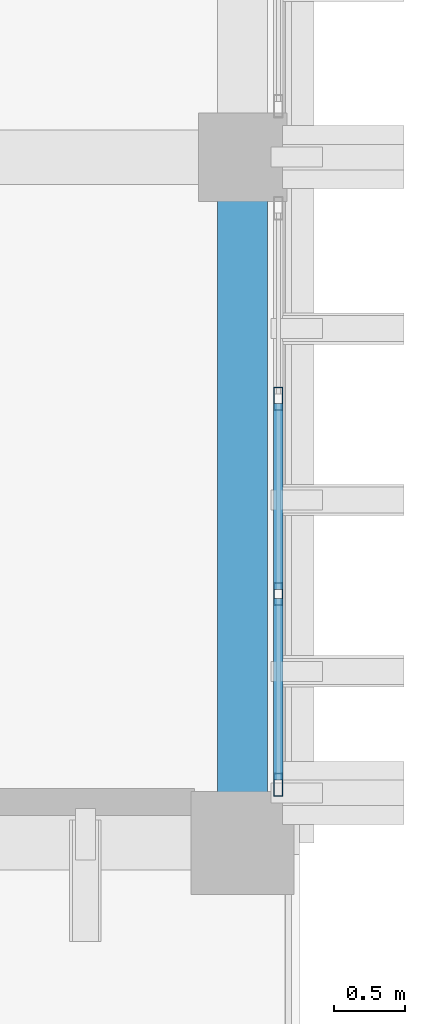
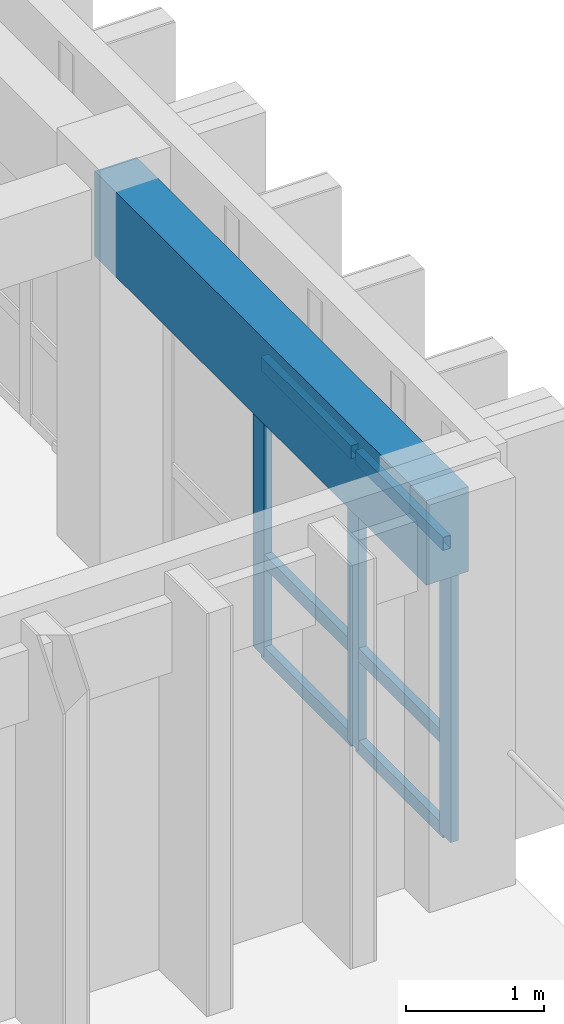
# One storey, part 6 of 59: 9 members, 1 beam, 1 element without a shape of its own.
"""IFC4 building model written with IfcOpenShell, lengths in metres."""

from ifc_helpers import new_model, si_unit, direction, frame, origin, origin_2d, place, context, subcontext, project, spatial, rectangle, hollow_rectangle, extrude, material, layer, layer_set, material_profile, profile_set, type_object, element, aggregate, save


model = new_model("IFC4")

# Units and contexts
model_context = context("Model", 3, precision=1e-05, world=origin(), true_north=direction((0.0, 1.0)))
body_context = subcontext(model_context, "Body", "Model", "MODEL_VIEW")
ifc_project = project(units=[si_unit("LENGTHUNIT", "METRE"), si_unit("AREAUNIT", "SQUARE_METRE"), si_unit("VOLUMEUNIT", "CUBIC_METRE"), si_unit("PLANEANGLEUNIT", "RADIAN"), si_unit("MASSUNIT", "GRAM", prefix="KILO")], contexts=[model_context])

# Site, building, storey
site_placement = place(None, origin())
site = spatial("IfcSite", under=ifc_project, at=site_placement, CompositionType="ELEMENT")
building_placement = place(site_placement, origin())
building = spatial("IfcBuilding", under=site, at=building_placement, Name="Nakhvara Creek Congress Hotel", CompositionType="ELEMENT")
storey_placement = place(building_placement, frame((0.0, 0.0, 31.800048828125)))
storey = spatial("IfcBuildingStorey", under=building, at=storey_placement, Name="L07", CompositionType="ELEMENT", Elevation=31.800048828125)

# Beam
ifc_material_1 = material(Name="Concrete C40/50", Category="concrete")
ifc_material_profile_1 = material_profile(ifc_material_1, rectangle(XDim=0.35009765625, YDim=0.75, at=origin_2d()), Name="RC-SPANDREL 350x750", Category="LoadBearing")
ifc_profile_set_1 = profile_set([ifc_material_profile_1], Name="Concrete C40/50")
beam_type = type_object("IfcBeamType", Name="BM-SPN-350X750", PredefinedType="SPANDREL", material=ifc_profile_set_1)
beam_placement = place(storey_placement, frame((179.35009765625, 48.0, 2.98486328125), z_axis=(0.0, 1.0, 0.0), x_axis=(-1.0, 0.0, 0.0)))
element("IfcBeam", 1, at=beam_placement, inside=storey, type_object=beam_type, Name="Beam SP1-L07-2391", PredefinedType="SPANDREL", context=body_context, shape_type="SweptSolid", body=[
    extrude(rectangle(XDim=0.35009765625, YDim=0.75, at=origin_2d()), origin(), (0.0, 0.0, 1.0), 4.800048828125),
])

# Curtain wall, members
ifc_material_2 = material(Name="Bronze-anodised aluminium AW-6063-T6 and double-silver low-E glass", Category="aluminium")
ifc_layer = layer(ifc_material_2, 0.199951171875)
ifc_layer_set = layer_set([ifc_layer], Name="Bronze-anodised aluminium AW-6063-T6 and double-silver low-E glass")
curtain_wall_type = type_object("IfcCurtainWallType", Name="CW-HTL-UNIT", PredefinedType="USERDEFINED", material=ifc_layer_set)
curtain_wall_placement = place(storey_placement, origin())
curtain_wall = element("IfcCurtainWall", 2, at=curtain_wall_placement, inside=storey, type_object=curtain_wall_type, Name="Curtain Wall CW253", ObjectType="UNITISED", PredefinedType="USERDEFINED")
ifc_material_3 = material(Name="Bronze-anodised aluminium AW-6063-T6", Category="aluminium")
ifc_material_profile_2 = material_profile(ifc_material_3, hollow_rectangle(XDim=0.06494140625, YDim=0.159912109375, WallThickness=0.00390625, at=origin_2d()), Name="ALU-MULL 65x160x4", Category="LoadBearing")
ifc_profile_set_2 = profile_set([ifc_material_profile_2], Name="Bronze-anodised aluminium AW-6063-T6")
member_type_1 = type_object("IfcMemberType", Name="CW-MULL-160", PredefinedType="MULLION", material=ifc_profile_set_2)
member_1_placement = place(storey_placement, frame((179.60009765625, 51.1083984375, 0.0), z_axis=(0.0, 0.0, 1.0), x_axis=(1.0, 0.0, 0.0)))
member_1 = element("IfcMember", 3, at=member_1_placement, type_object=member_type_1, Name="CW253 mullion 2", PredefinedType="MULLION", context=body_context, shape_type="SweptSolid", body=[
    extrude(hollow_rectangle(XDim=0.06494140625, YDim=0.159912109375, WallThickness=0.00390625, at=origin_2d()), origin(), (0.0, 0.0, 1.0), 2.60205078125),
])
member_2_placement = place(storey_placement, frame((179.60009765625, 49.74169921875, 0.0), z_axis=(0.0, 0.0, 1.0), x_axis=(1.0, 0.0, 0.0)))
member_2 = element("IfcMember", 4, at=member_2_placement, type_object=member_type_1, Name="CW253 mullion 3", PredefinedType="MULLION", context=body_context, shape_type="SweptSolid", body=[
    extrude(hollow_rectangle(XDim=0.06494140625, YDim=0.159912109375, WallThickness=0.00390625, at=origin_2d()), origin(), (0.0, 0.0, 1.0), 2.60205078125),
])
member_3_placement = place(storey_placement, frame((179.60009765625, 48.407470703125, 0.0), z_axis=(0.0, 0.0, 1.0), x_axis=(1.0, 0.0, 0.0)))
member_3 = element("IfcMember", 5, at=member_3_placement, type_object=member_type_1, Name="CW253 mullion 4", PredefinedType="MULLION", context=body_context, shape_type="SweptSolid", body=[
    extrude(hollow_rectangle(XDim=0.06494140625, YDim=0.159912109375, WallThickness=0.00390625, at=origin_2d()), origin(), (0.0, 0.0, 1.0), 2.60205078125),
])
ifc_material_profile_3 = material_profile(ifc_material_3, hollow_rectangle(XDim=0.06494140625, YDim=0.1201171875, WallThickness=0.00390625, at=origin_2d()), Name="ALU-TRAN 65x120x4", Category="LoadBearing")
ifc_profile_set_3 = profile_set([ifc_material_profile_3], Name="Bronze-anodised aluminium AW-6063-T6")
member_type_2 = type_object("IfcMemberType", Name="CW-TRAN-120", PredefinedType="USERDEFINED", material=ifc_profile_set_3)
member_4_placement = place(storey_placement, frame((179.60009765625, 51.075927734375, 0.032470703125), z_axis=(0.0, -1.0, 0.0), x_axis=(1.0, 0.0, 0.0)))
member_4 = element("IfcMember", 6, at=member_4_placement, type_object=member_type_2, Name="CW253 transom 2.1", ObjectType="TRANSOM", PredefinedType="USERDEFINED", context=body_context, shape_type="SweptSolid", body=[
    extrude(hollow_rectangle(XDim=0.06494140625, YDim=0.1201171875, WallThickness=0.00390625, at=origin_2d()), origin(), (0.0, 0.0, 1.0), 1.3017578125),
])
member_5_placement = place(storey_placement, frame((179.60009765625, 51.075927734375, 0.849853515625), z_axis=(0.0, -1.0, 0.0), x_axis=(1.0, 0.0, 0.0)))
member_5 = element("IfcMember", 7, at=member_5_placement, type_object=member_type_2, Name="CW253 transom 2.2", ObjectType="TRANSOM", PredefinedType="USERDEFINED", context=body_context, shape_type="SweptSolid", body=[
    extrude(hollow_rectangle(XDim=0.06494140625, YDim=0.1201171875, WallThickness=0.00390625, at=origin_2d()), origin(), (0.0, 0.0, 1.0), 1.3017578125),
])
member_6_placement = place(storey_placement, frame((179.60009765625, 51.075927734375, 2.5693359375), z_axis=(0.0, -1.0, 0.0), x_axis=(1.0, 0.0, 0.0)))
member_6 = element("IfcMember", 8, at=member_6_placement, type_object=member_type_2, Name="CW253 transom 2.3", ObjectType="TRANSOM", PredefinedType="USERDEFINED", context=body_context, shape_type="SweptSolid", body=[
    extrude(hollow_rectangle(XDim=0.06494140625, YDim=0.1201171875, WallThickness=0.00390625, at=origin_2d()), origin(), (0.0, 0.0, 1.0), 1.3017578125),
])
member_7_placement = place(storey_placement, frame((179.60009765625, 49.709228515625, 0.032470703125), z_axis=(0.0, -1.0, 0.0), x_axis=(1.0, 0.0, 0.0)))
member_7 = element("IfcMember", 9, at=member_7_placement, type_object=member_type_2, Name="CW253 transom 3.1", ObjectType="TRANSOM", PredefinedType="USERDEFINED", context=body_context, shape_type="SweptSolid", body=[
    extrude(hollow_rectangle(XDim=0.06494140625, YDim=0.1201171875, WallThickness=0.00390625, at=origin_2d()), origin(), (0.0, 0.0, 1.0), 1.269287109375),
])
member_8_placement = place(storey_placement, frame((179.60009765625, 49.709228515625, 0.849853515625), z_axis=(0.0, -1.0, 0.0), x_axis=(1.0, 0.0, 0.0)))
member_8 = element("IfcMember", 10, at=member_8_placement, type_object=member_type_2, Name="CW253 transom 3.2", ObjectType="TRANSOM", PredefinedType="USERDEFINED", context=body_context, shape_type="SweptSolid", body=[
    extrude(hollow_rectangle(XDim=0.06494140625, YDim=0.1201171875, WallThickness=0.00390625, at=origin_2d()), origin(), (0.0, 0.0, 1.0), 1.269287109375),
])
member_9_placement = place(storey_placement, frame((179.60009765625, 49.709228515625, 2.5693359375), z_axis=(0.0, -1.0, 0.0), x_axis=(1.0, 0.0, 0.0)))
member_9 = element("IfcMember", 11, at=member_9_placement, type_object=member_type_2, Name="CW253 transom 3.3", ObjectType="TRANSOM", PredefinedType="USERDEFINED", context=body_context, shape_type="SweptSolid", body=[
    extrude(hollow_rectangle(XDim=0.06494140625, YDim=0.1201171875, WallThickness=0.00390625, at=origin_2d()), origin(), (0.0, 0.0, 1.0), 1.269287109375),
])
aggregate(curtain_wall, [member_1, member_2, member_3, member_4, member_5, member_6, member_7, member_8, member_9])

save(model, "model.ifc")
